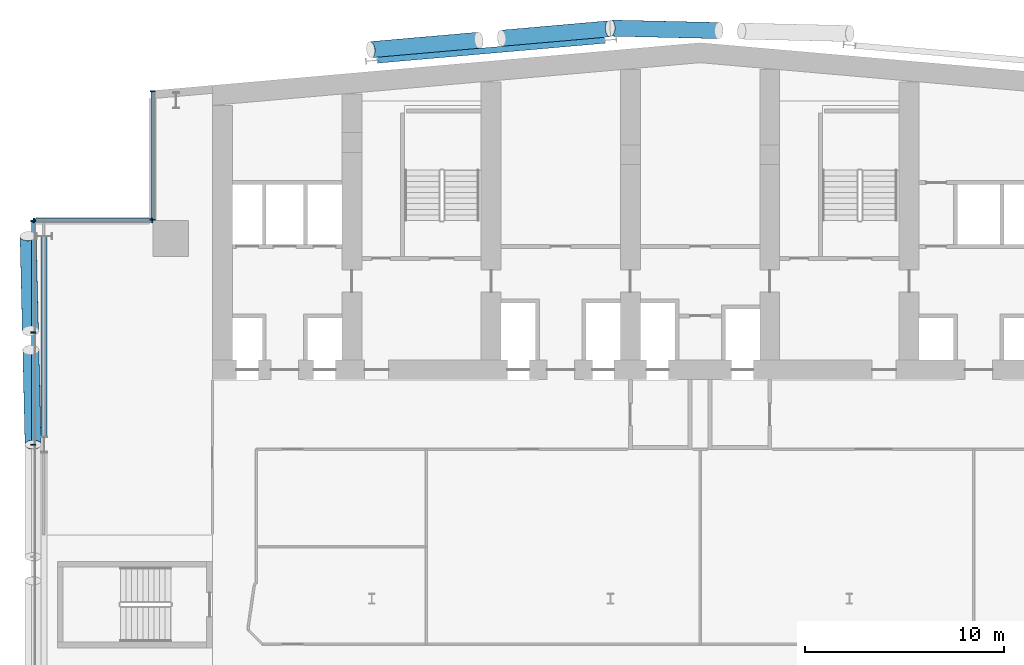
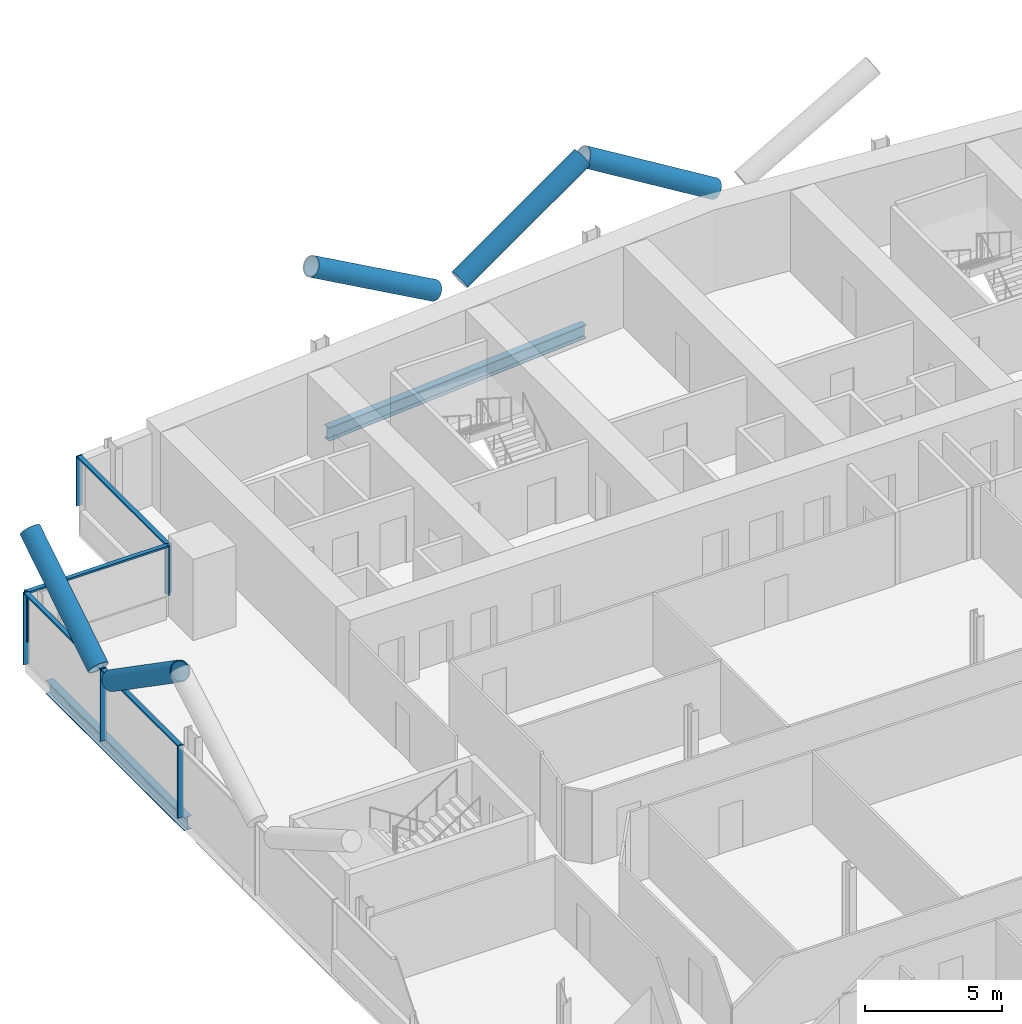
# One storey, part 8 of 28: 16 members, 2 beams, 3 elements without a shape of their own.
"""IFC4 building model written with IfcOpenShell, lengths in metres."""

from ifc_helpers import new_model, si_unit, direction, frame, origin, origin_2d, place, context, subcontext, project, spatial, rectangle, hollow_circle, i_section, extrude, material, material_profile, profile_set, type_object, element, aggregate, save


model = new_model("IFC4")

# Units and contexts
model_context = context("Model", 3, precision=1e-05, world=origin(), true_north=direction((0.0, 1.0)))
body_context = subcontext(model_context, "Body", "Model", "MODEL_VIEW")
ifc_project = project(units=[si_unit("LENGTHUNIT", "METRE"), si_unit("AREAUNIT", "SQUARE_METRE"), si_unit("VOLUMEUNIT", "CUBIC_METRE"), si_unit("PLANEANGLEUNIT", "RADIAN"), si_unit("MASSUNIT", "GRAM", prefix="KILO")], contexts=[model_context])

# Site, building, storey
site_placement = place(None, origin())
site = spatial("IfcSite", under=ifc_project, at=site_placement, CompositionType="ELEMENT")
building_placement = place(site_placement, origin())
building = spatial("IfcBuilding", under=site, at=building_placement, Name="Wharfspan Tower", CompositionType="ELEMENT")
storey_placement = place(building_placement, frame((0.0, 0.0, 132.699951)))
storey = spatial("IfcBuildingStorey", under=building, at=storey_placement, Name="L31", CompositionType="ELEMENT", Elevation=132.699951)

# Beams
ifc_material_1 = material(Name="Steel S355J2", Category="steel")
ifc_material_profile_1 = material_profile(ifc_material_1, i_section(OverallWidth=0.300049, OverallDepth=0.600098, WebThickness=0.015381, FlangeThickness=0.030029, FilletRadius=0.0271, at=origin_2d()))
ifc_profile_set_1 = profile_set([ifc_material_profile_1], Name="Steel S355J2")
beam_type = type_object("IfcBeamType", Name="Edge beam HEB 600", PredefinedType="SPANDREL", material=ifc_profile_set_1)
beam_1_placement = place(storey_placement, frame((35.695068, 51.050537, -0.699951), z_axis=(-0.996194, -0.087162, 0.0), x_axis=(0.087162, -0.996194, 0.0)))
element("IfcBeam", 1, at=beam_1_placement, inside=storey, type_object=beam_type, Name="Edge beam N1 L31 R.2 to R.1", PredefinedType="SPANDREL", context=body_context, shape_type="SweptSolid", body=[
    extrude(i_section(OverallWidth=0.300049, OverallDepth=0.600098, WebThickness=0.015381, FlangeThickness=0.030029, FilletRadius=0.0271, at=origin_2d()), origin(), (0.0, 0.0, 1.0), 11.433594),
])
beam_2_placement = place(storey_placement, frame((7.544434, 41.201416, -0.699951), z_axis=(-0.000412, -1.0, 0.0), x_axis=(1.0, -0.000412, 0.0)))
element("IfcBeam", 2, at=beam_2_placement, inside=storey, type_object=beam_type, Name="Edge beam W L31 PNRW-H.1 to PW.1", PredefinedType="SPANDREL", context=body_context, shape_type="SweptSolid", body=[
    extrude(i_section(OverallWidth=0.300049, OverallDepth=0.600098, WebThickness=0.015381, FlangeThickness=0.030029, FilletRadius=0.0271, at=origin_2d()), origin(), (0.0, 0.0, 1.0), 10.065186),
])

# Curtain wall, members
ifc_material_2 = material(Name="Aluminium 6063-T6", Category="aluminium")
curtain_wall_type = type_object("IfcCurtainWallType", Name="CURTAIN WALL PROW AND END", PredefinedType="NOTDEFINED", material=ifc_material_2)
curtain_wall_1_placement = place(storey_placement, origin())
curtain_wall_1 = element("IfcCurtainWall", 3, at=curtain_wall_1_placement, inside=storey, type_object=curtain_wall_type, Name="Curtain wall NRW-V", PredefinedType="NOTDEFINED")
ifc_material_profile_2 = material_profile(ifc_material_2, rectangle(XDim=0.23999, YDim=0.060059, at=origin_2d()))
ifc_profile_set_2 = profile_set([ifc_material_profile_2], Name="Aluminium 6063-T6")
member_type_1 = type_object("IfcMemberType", Name="MULLION PROW AND END 60x240", PredefinedType="MULLION", material=ifc_profile_set_2)
member_1_placement = place(storey_placement, frame((13.0, 48.494873, 1.0), z_axis=(0.0, 0.0, 1.0), x_axis=(1.0, 0.0, 0.0)))
member_1 = element("IfcMember", 4, at=member_1_placement, type_object=member_type_1, Name="Curtain wall NRW-V mullion 1", PredefinedType="MULLION", context=body_context, shape_type="SweptSolid", body=[
    extrude(rectangle(XDim=0.23999, YDim=0.060059, at=origin_2d()), origin(), (0.0, 0.0, 1.0), 2.199951),
])
member_2_placement = place(storey_placement, frame((13.0, 42.030029, 1.0), z_axis=(0.0, 0.0, 1.0), x_axis=(1.0, 0.0, 0.0)))
member_2 = element("IfcMember", 5, at=member_2_placement, type_object=member_type_1, Name="Curtain wall NRW-V mullion 2", PredefinedType="MULLION", context=body_context, shape_type="SweptSolid", body=[
    extrude(rectangle(XDim=0.23999, YDim=0.060059, at=origin_2d()), origin(), (0.0, 0.0, 1.0), 2.199951),
])

curtain_wall_2_placement = place(storey_placement, origin())
curtain_wall_2 = element("IfcCurtainWall", 6, at=curtain_wall_2_placement, inside=storey, type_object=curtain_wall_type, Name="Curtain wall NRW-H", PredefinedType="NOTDEFINED")
member_3_placement = place(storey_placement, frame((12.969971, 42.0, 1.0), z_axis=(0.0, 0.0, 1.0), x_axis=(0.0, -1.0, 0.0)))
member_3 = element("IfcMember", 7, at=member_3_placement, type_object=member_type_1, Name="Curtain wall NRW-H mullion 1", PredefinedType="MULLION", context=body_context, shape_type="SweptSolid", body=[
    extrude(rectangle(XDim=0.23999, YDim=0.060059, at=origin_2d()), origin(), (0.0, 0.0, 1.0), 2.199951),
])
member_4_placement = place(storey_placement, frame((7.030029, 42.0, 1.0), z_axis=(0.0, 0.0, 1.0), x_axis=(0.0, -1.0, 0.0)))
member_4 = element("IfcMember", 8, at=member_4_placement, type_object=member_type_1, Name="Curtain wall NRW-H mullion 2", PredefinedType="MULLION", context=body_context, shape_type="SweptSolid", body=[
    extrude(rectangle(XDim=0.23999, YDim=0.060059, at=origin_2d()), origin(), (0.0, 0.0, 1.0), 2.199951),
])

curtain_wall_3_placement = place(storey_placement, origin())
curtain_wall_3 = element("IfcCurtainWall", 9, at=curtain_wall_3_placement, inside=storey, type_object=curtain_wall_type, Name="Curtain wall W", PredefinedType="NOTDEFINED")
member_5_placement = place(storey_placement, frame((7.0, 41.969971, 0.0), z_axis=(0.0, 0.0, 1.0), x_axis=(1.0, 0.0, 0.0)))
member_5 = element("IfcMember", 10, at=member_5_placement, type_object=member_type_1, Name="Curtain wall W mullion 1", PredefinedType="MULLION", context=body_context, shape_type="SweptSolid", body=[
    extrude(rectangle(XDim=0.23999, YDim=0.060059, at=origin_2d()), origin(), (0.0, 0.0, 1.0), 3.199951),
])
member_6_placement = place(storey_placement, frame((7.0, 36.366699, 0.0), z_axis=(0.0, 0.0, 1.0), x_axis=(1.0, 0.0, 0.0)))
member_6 = element("IfcMember", 11, at=member_6_placement, type_object=member_type_1, Name="Curtain wall W mullion 2", PredefinedType="MULLION", context=body_context, shape_type="SweptSolid", body=[
    extrude(rectangle(XDim=0.23999, YDim=0.060059, at=origin_2d()), origin(), (0.0, 0.0, 1.0), 3.199951),
])
member_7_placement = place(storey_placement, frame((7.0, 30.733398, 0.0), z_axis=(0.0, 0.0, 1.0), x_axis=(1.0, 0.0, 0.0)))
member_7 = element("IfcMember", 12, at=member_7_placement, type_object=member_type_1, Name="Curtain wall W mullion 3", PredefinedType="MULLION", context=body_context, shape_type="SweptSolid", body=[
    extrude(rectangle(XDim=0.23999, YDim=0.060059, at=origin_2d()), origin(), (0.0, 0.0, 1.0), 3.199951),
])

# Members
ifc_material_3 = material(Name="Steel S460NH", Category="steel")
ifc_material_profile_3 = material_profile(ifc_material_3, hollow_circle(Radius=0.406494, WallThickness=0.040039, at=origin_2d()))
ifc_profile_set_3 = profile_set([ifc_material_profile_3], Name="Steel S460NH")
member_type_2 = type_object("IfcMemberType", Name="Mega brace CHS 813x40", PredefinedType="BRACE", material=ifc_profile_set_3)
member_8_placement = place(storey_placement, frame((6.871094, 35.486084, 3.233154), z_axis=(0.019766, -0.823932, 0.566344), x_axis=(0.999712, 0.023985, 3e-06)))
element("IfcMember", 13, at=member_8_placement, inside=storey, type_object=member_type_2, Name="Mega brace W4 L31 part 2", PredefinedType="BRACE", context=body_context, shape_type="SweptSolid", body=[
    extrude(hollow_circle(Radius=0.406494, WallThickness=0.040039, at=origin_2d()), origin(), (0.0, 0.0, 1.0), 5.768311),
])
member_9_placement = place(storey_placement, frame((6.8479, 36.455078, 3.233154), z_axis=(-0.019723, 0.823946, 0.566325), x_axis=(-0.999713, -0.023929, -2e-06)))
element("IfcMember", 14, at=member_9_placement, inside=storey, type_object=member_type_2, Name="Mega brace W4 L31 part 4", PredefinedType="BRACE", context=body_context, shape_type="SweptSolid", body=[
    extrude(hollow_circle(Radius=0.406494, WallThickness=0.040039, at=origin_2d()), origin(), (0.0, 0.0, 1.0), 5.768555),
])
member_10_placement = place(storey_placement, frame((41.435059, 51.541504, 3.246582), z_axis=(-0.857317, 0.019649, 0.514413), x_axis=(-0.022912, -0.999739, 2e-06)))
element("IfcMember", 15, at=member_10_placement, inside=storey, type_object=member_type_2, Name="Mega brace N7 L31 part 4", PredefinedType="BRACE", context=body_context, shape_type="SweptSolid", body=[
    extrude(hollow_circle(Radius=0.406494, WallThickness=0.040039, at=origin_2d()), origin(), (0.0, 0.0, 1.0), 6.324463),
])
member_11_placement = place(storey_placement, frame((30.529785, 51.156738, 3.24707), z_axis=(0.855103, 0.074814, 0.513031), x_axis=(-0.087159, 0.996196, 1e-06)))
element("IfcMember", 16, at=member_11_placement, inside=storey, type_object=member_type_2, Name="Mega brace N8 L31 part 2", PredefinedType="BRACE", context=body_context, shape_type="SweptSolid", body=[
    extrude(hollow_circle(Radius=0.406494, WallThickness=0.040039, at=origin_2d()), origin(), (0.0, 0.0, 1.0), 6.340576),
])
member_12_placement = place(storey_placement, frame((29.373291, 51.05542, 3.24707), z_axis=(-0.855096, -0.074778, 0.51305), x_axis=(0.087117, -0.996194, 0.0)))
element("IfcMember", 17, at=member_12_placement, inside=storey, type_object=member_type_2, Name="Mega brace N8 L31 part 4", PredefinedType="BRACE", context=body_context, shape_type="SweptSolid", body=[
    extrude(hollow_circle(Radius=0.406494, WallThickness=0.040039, at=origin_2d()), origin(), (0.0, 0.0, 1.0), 6.340332),
])

# Member
ifc_material_profile_4 = material_profile(ifc_material_2, rectangle(XDim=0.179932, YDim=0.080078, at=origin_2d()))
ifc_profile_set_4 = profile_set([ifc_material_profile_4], Name="Aluminium 6063-T6")
member_type_3 = type_object("IfcMemberType", Name="TRANSOM PROW AND END 80x180", PredefinedType="USERDEFINED", material=ifc_profile_set_4)
member_13_placement = place(storey_placement, frame((13.0, 48.464844, 3.160156), z_axis=(0.0, -1.0, 0.0), x_axis=(1.0, 0.0, 0.0)))
member_13 = element("IfcMember", 18, at=member_13_placement, type_object=member_type_3, Name="Curtain wall NRW-V transom 1", ObjectType="TRANSOM", PredefinedType="USERDEFINED", context=body_context, shape_type="SweptSolid", body=[
    extrude(rectangle(XDim=0.179932, YDim=0.080078, at=origin_2d()), origin(), (0.0, 0.0, 1.0), 6.404785),
])

aggregate(curtain_wall_1, [member_1, member_2, member_13])

member_14_placement = place(storey_placement, frame((12.939941, 42.0, 3.160156), z_axis=(-1.0, 0.0, 0.0), x_axis=(0.0, -1.0, 0.0)))
member_14 = element("IfcMember", 19, at=member_14_placement, type_object=member_type_3, Name="Curtain wall NRW-H transom 1", ObjectType="TRANSOM", PredefinedType="USERDEFINED", context=body_context, shape_type="SweptSolid", body=[
    extrude(rectangle(XDim=0.179932, YDim=0.080078, at=origin_2d()), origin(), (0.0, 0.0, 1.0), 5.879883),
])

aggregate(curtain_wall_2, [member_3, member_4, member_14])

member_15_placement = place(storey_placement, frame((7.0, 41.939941, 3.160156), z_axis=(0.0, -1.0, 0.0), x_axis=(1.0, 0.0, 0.0)))
member_15 = element("IfcMember", 20, at=member_15_placement, type_object=member_type_3, Name="Curtain wall W transom 1", ObjectType="TRANSOM", PredefinedType="USERDEFINED", context=body_context, shape_type="SweptSolid", body=[
    extrude(rectangle(XDim=0.179932, YDim=0.080078, at=origin_2d()), origin(), (0.0, 0.0, 1.0), 5.543213),
])

member_16_placement = place(storey_placement, frame((7.0, 36.33667, 3.160156), z_axis=(0.0, -1.0, 0.0), x_axis=(1.0, 0.0, 0.0)))
member_16 = element("IfcMember", 21, at=member_16_placement, type_object=member_type_3, Name="Curtain wall W transom 2", ObjectType="TRANSOM", PredefinedType="USERDEFINED", context=body_context, shape_type="SweptSolid", body=[
    extrude(rectangle(XDim=0.179932, YDim=0.080078, at=origin_2d()), origin(), (0.0, 0.0, 1.0), 5.573242),
])

aggregate(curtain_wall_3, [member_5, member_6, member_7, member_15, member_16])

save(model, "model.ifc")
